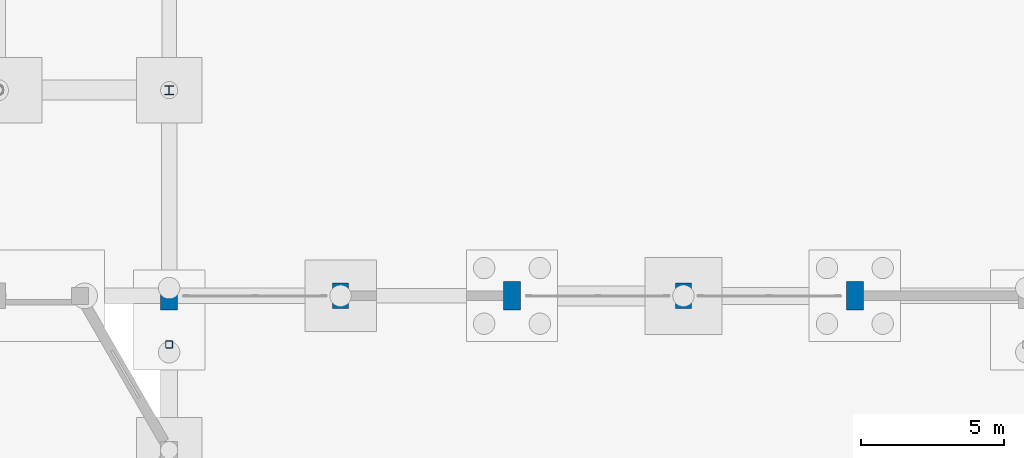
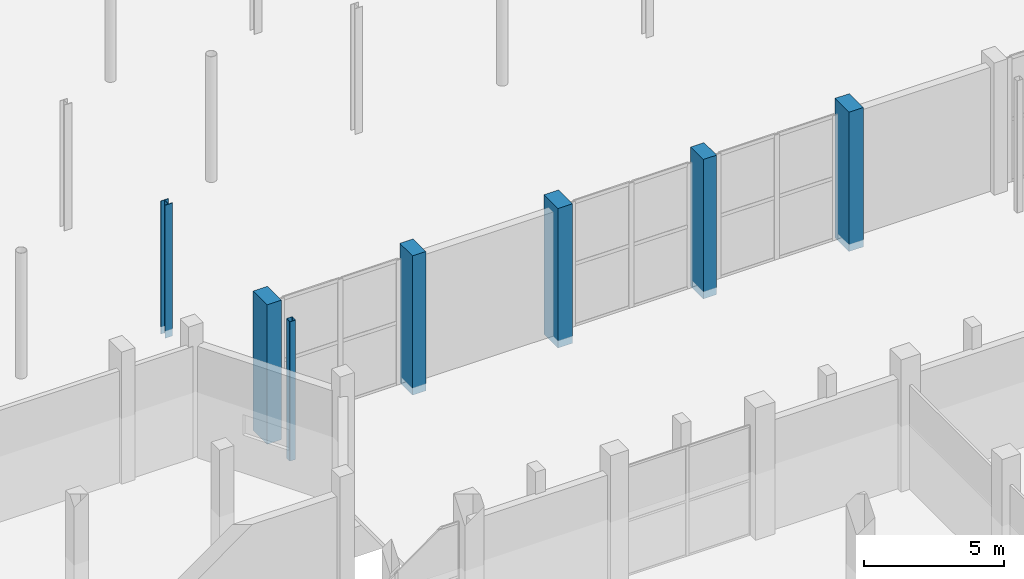
# One storey, part 17 of 103: 7 columns.
"""IFC4 building model written with IfcOpenShell, lengths in metres."""

from ifc_helpers import new_model, si_unit, direction, frame, origin, origin_2d, place, context, subcontext, project, spatial, rectangle, hollow_rectangle, i_section, extrude, material, material_profile, profile_set, type_object, element, save


model = new_model("IFC4")

# Units and contexts
model_context = context("Model", 3, precision=1e-05, world=origin(), true_north=direction((0.0, 1.0)))
body_context = subcontext(model_context, "Body", "Model", "MODEL_VIEW")
ifc_project = project(units=[si_unit("LENGTHUNIT", "METRE"), si_unit("AREAUNIT", "SQUARE_METRE"), si_unit("VOLUMEUNIT", "CUBIC_METRE"), si_unit("PLANEANGLEUNIT", "RADIAN"), si_unit("MASSUNIT", "GRAM", prefix="KILO")], contexts=[model_context])

# Site, building, storey
site_placement = place(None, origin())
site = spatial("IfcSite", under=ifc_project, at=site_placement, CompositionType="ELEMENT")
building_placement = place(site_placement, origin())
building = spatial("IfcBuilding", under=site, at=building_placement, Name="Dunvalen Ferry Terminal", CompositionType="ELEMENT")
storey_placement = place(building_placement, origin())
storey = spatial("IfcBuildingStorey", under=building, at=storey_placement, Name="L00", CompositionType="ELEMENT", Elevation=0.0)

# Columns
ifc_material_1 = material(Name="Concrete C40/50", Category="concrete")
ifc_material_profile_1 = material_profile(ifc_material_1, rectangle(XDim=0.60009765625, YDim=1.0, at=origin_2d()), Name="Concrete C40/50")
ifc_profile_set_1 = profile_set([ifc_material_profile_1], Name="Concrete C40/50")
column_type_1 = type_object("IfcColumnType", Name="STR-COL-PIER1000", PredefinedType="COLUMN", material=ifc_profile_set_1)
for number, where, z_axis, x_axis, name in (
    (1, (36.0, 50.39990234375, -0.320068359375), (0.0, 0.0, 1.0), (1.0, 0.0, 0.0), "L00 Departure Hall Perimeter Pier 05"),
    (2, (48.0, 50.39990234375, -0.320068359375), (0.0, 0.0, 1.0), (1.0, 0.0, 0.0), "L00 Departure Hall Perimeter Pier 07"),
    (3, (60.0, 50.39990234375, -0.320068359375), (0.0, 0.0, 1.0), (1.0, 0.0, 0.0), "L00 Departure Hall Perimeter Pier 09"),
):
    element("IfcColumn", number, at=place(storey_placement, frame(where, z_axis=z_axis, x_axis=x_axis)), inside=storey, type_object=column_type_1, Name=name, PredefinedType="COLUMN", context=body_context, shape_type="SweptSolid", body=[
        extrude(rectangle(XDim=0.60009765625, YDim=1.0, at=origin_2d()), origin(), (0.0, 0.0, 1.0), 6.080078125),
    ])
ifc_material_profile_2 = material_profile(ifc_material_1, rectangle(XDim=0.550048828125, YDim=0.89990234375, at=origin_2d()), Name="Concrete C40/50")
ifc_profile_set_2 = profile_set([ifc_material_profile_2], Name="Concrete C40/50")
column_type_2 = type_object("IfcColumnType", Name="STR-COL-PIER900", PredefinedType="COLUMN", material=ifc_profile_set_2)
for number, where, z_axis, x_axis, name in (
    (4, (42.0, 50.39990234375, -0.320068359375), (0.0, 0.0, 1.0), (1.0, 0.0, 0.0), "L00 Departure Hall Perimeter Pier 06"),
    (5, (54.0, 50.39990234375, -0.320068359375), (0.0, 0.0, 1.0), (1.0, 0.0, 0.0), "L00 Departure Hall Perimeter Pier 08"),
):
    element("IfcColumn", number, at=place(storey_placement, frame(where, z_axis=z_axis, x_axis=x_axis)), inside=storey, type_object=column_type_2, Name=name, PredefinedType="COLUMN", context=body_context, shape_type="SweptSolid", body=[
        extrude(rectangle(XDim=0.550048828125, YDim=0.89990234375, at=origin_2d()), origin(), (0.0, 0.0, 1.0), 6.080078125),
    ])
ifc_material_2 = material(Name="Steel S355", Category="steel")
ifc_material_profile_3 = material_profile(ifc_material_2, hollow_rectangle(XDim=0.25, YDim=0.25, WallThickness=0.010009765625, InnerFilletRadius=0.010009765625, OuterFilletRadius=0.02001953125, at=origin_2d()), Name="Steel S355")
ifc_profile_set_3 = profile_set([ifc_material_profile_3], Name="Steel S355")
column_type_3 = type_object("IfcColumnType", Name="STR-COL-SHS250", PredefinedType="COLUMN", material=ifc_profile_set_3)
column_1_placement = place(storey_placement, frame((36.0, 48.699951171875, -0.320068359375), z_axis=(0.0, 0.0, 1.0), x_axis=(1.0, 0.0, 0.0)))
element("IfcColumn", 6, at=column_1_placement, inside=storey, type_object=column_type_3, Name="L00 Eave Colonnade Post 4", PredefinedType="COLUMN", context=body_context, shape_type="SweptSolid", body=[
    extrude(hollow_rectangle(XDim=0.25, YDim=0.25, WallThickness=0.010009765625, InnerFilletRadius=0.010009765625, OuterFilletRadius=0.02001953125, at=origin_2d()), origin(), (0.0, 0.0, 1.0), 6.080078125),
])
ifc_material_profile_4 = material_profile(ifc_material_2, i_section(OverallWidth=0.30908203125, OverallDepth=0.320556640625, WebThickness=0.013916015625, FlangeThickness=0.021728515625, FilletRadius=0.01513671875, at=origin_2d()), Name="Steel S355")
ifc_profile_set_4 = profile_set([ifc_material_profile_4], Name="Steel S355")
column_type_4 = type_object("IfcColumnType", Name="STR-COL-UKC305", PredefinedType="COLUMN", material=ifc_profile_set_4)
column_2_placement = place(storey_placement, frame((36.0, 57.60009765625, -0.320068359375), z_axis=(0.0, 0.0, 1.0), x_axis=(1.0, 0.0, 0.0)))
element("IfcColumn", 7, at=column_2_placement, inside=storey, type_object=column_type_4, Name="L00 Waiting Lounge Mezzanine Column 36-57", PredefinedType="COLUMN", context=body_context, shape_type="SweptSolid", body=[
    extrude(i_section(OverallWidth=0.30908203125, OverallDepth=0.320556640625, WebThickness=0.013916015625, FlangeThickness=0.021728515625, FilletRadius=0.01513671875, at=origin_2d()), origin(), (0.0, 0.0, 1.0), 5.800048828125),
])

save(model, "model.ifc")
